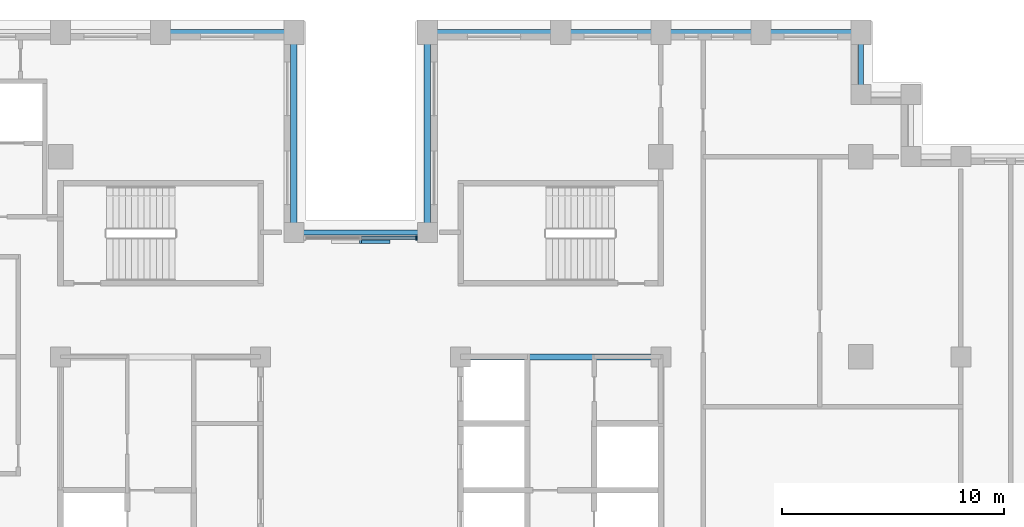
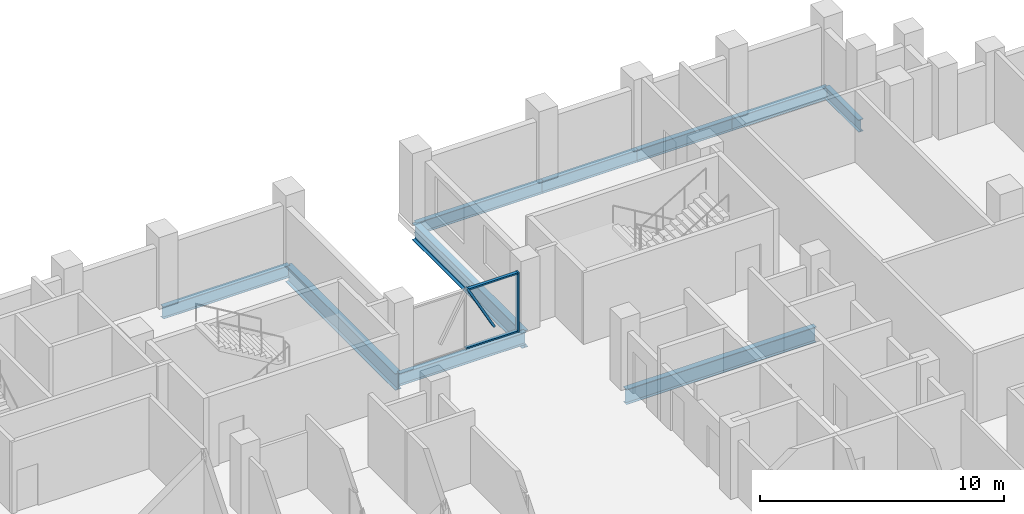
# One storey, part 4 of 16: 10 beams, 4 members, 1 element without a shape of its own.
"""IFC4 building model written with IfcOpenShell, lengths in metres."""

from ifc_helpers import new_model, si_unit, direction, frame, origin, origin_2d, place, context, subcontext, project, spatial, rectangle, i_section, extrude, material, layer, layer_set, material_profile, profile_set, type_object, element, aggregate, save


model = new_model("IFC4")

# Units and contexts
model_context = context("Model", 3, precision=1e-05, world=origin(), true_north=direction((0.0, 1.0)))
body_context = subcontext(model_context, "Body", "Model", "MODEL_VIEW")
ifc_project = project(units=[si_unit("LENGTHUNIT", "METRE"), si_unit("AREAUNIT", "SQUARE_METRE"), si_unit("VOLUMEUNIT", "CUBIC_METRE"), si_unit("PLANEANGLEUNIT", "RADIAN"), si_unit("MASSUNIT", "GRAM", prefix="KILO")], contexts=[model_context])

# Site, building, storey
site_placement = place(None, origin())
site = spatial("IfcSite", under=ifc_project, at=site_placement, CompositionType="ELEMENT")
building_placement = place(site_placement, origin())
building = spatial("IfcBuilding", under=site, at=building_placement, Name="Corbelhall Arena Tower", CompositionType="ELEMENT")
storey_placement = place(building_placement, frame((0.0, 0.0, 174.0)))
storey = spatial("IfcBuildingStorey", under=building, at=storey_placement, Name="L35", CompositionType="ELEMENT", Elevation=174.0)

# Curtain wall, members
ifc_material_1 = material(Name="Aluminium black anodised", Category="aluminium")
ifc_layer = layer(ifc_material_1, 0.199951171875)
ifc_layer_set = layer_set([ifc_layer], Name="EV-CW1 Slot back wall")
curtain_wall_type = type_object("IfcCurtainWallType", Name="EV-CW1 Slot back wall", PredefinedType="NOTDEFINED", material=ifc_layer_set)
curtain_wall_placement = place(storey_placement, origin())
curtain_wall = element("IfcCurtainWall", 1, at=curtain_wall_placement, inside=storey, type_object=curtain_wall_type, Name="Curtain wall CW1", PredefinedType="NOTDEFINED")
ifc_material_profile_1 = material_profile(ifc_material_1, rectangle(XDim=0.199951171875, YDim=0.074951171875, at=origin_2d()))
ifc_profile_set_1 = profile_set([ifc_material_profile_1], Name="Aluminium black anodised")
member_type_1 = type_object("IfcMemberType", Name="EV-CW1-MULLION", PredefinedType="MULLION", material=ifc_profile_set_1)
member_1_placement = place(storey_placement, frame((2.512451171875, 14.35009765625, 0.0), z_axis=(0.0, 0.0, 1.0), x_axis=(0.0, -1.0, 0.0)))
member_1 = element("IfcMember", 2, at=member_1_placement, type_object=member_type_1, Name="CW1 mullion 1", PredefinedType="MULLION", context=body_context, shape_type="SweptSolid", body=[
    extrude(rectangle(XDim=0.199951171875, YDim=0.074951171875, at=origin_2d()), origin(), (0.0, 0.0, 1.0), 2.989990234375),
])
ifc_material_profile_2 = material_profile(ifc_material_1, rectangle(XDim=0.14990234375, YDim=0.074951171875, at=origin_2d()))
ifc_profile_set_2 = profile_set([ifc_material_profile_2], Name="Aluminium black anodised")
member_type_2 = type_object("IfcMemberType", Name="EV-CW1-TRANSOM", PredefinedType="USERDEFINED", material=ifc_profile_set_2)
member_2_placement = place(storey_placement, frame((2.47509765625, 14.35009765625, 0.03759765625), z_axis=(-1.0, 0.0, 0.0), x_axis=(0.0, -1.0, 0.0)))
member_2 = element("IfcMember", 3, at=member_2_placement, type_object=member_type_2, Name="CW1 transom 1.1", ObjectType="transom", PredefinedType="USERDEFINED", context=body_context, shape_type="SweptSolid", body=[
    extrude(rectangle(XDim=0.14990234375, YDim=0.074951171875, at=origin_2d()), origin(), (0.0, 0.0, 1.0), 2.4375),
])
member_3_placement = place(storey_placement, frame((2.47509765625, 14.35009765625, 2.952392578125), z_axis=(-1.0, 0.0, 0.0), x_axis=(0.0, -1.0, 0.0)))
member_3 = element("IfcMember", 4, at=member_3_placement, type_object=member_type_2, Name="CW1 transom 1.2", ObjectType="transom", PredefinedType="USERDEFINED", context=body_context, shape_type="SweptSolid", body=[
    extrude(rectangle(XDim=0.14990234375, YDim=0.074951171875, at=origin_2d()), origin(), (0.0, 0.0, 1.0), 2.4375),
])
aggregate(curtain_wall, [member_1, member_2, member_3])

# Member
ifc_material_profile_3 = material_profile(ifc_material_1, rectangle(XDim=0.159912109375, YDim=0.10009765625, at=origin_2d()))
ifc_profile_set_3 = profile_set([ifc_material_profile_3], Name="Aluminium black anodised")
member_type_3 = type_object("IfcMemberType", Name="EV-TR1 Tracery bar", PredefinedType="USERDEFINED", material=ifc_profile_set_3)
member_4_placement = place(storey_placement, frame((1.27490234375, 14.169921875, 0.807373046875), z_axis=(-0.478030960994, 0.0, 0.878342985588), x_axis=(0.0, -1.0, 0.0)))
element("IfcMember", 5, at=member_4_placement, inside=storey, type_object=member_type_3, Name="Tracery bar", ObjectType="TRACERY", PredefinedType="USERDEFINED", context=body_context, shape_type="SweptSolid", body=[
    extrude(rectangle(XDim=0.159912109375, YDim=0.10009765625, at=origin_2d()), origin(), (0.0, 0.0, 1.0), 2.6669921875),
])

# Beams
ifc_material_2 = material(Name="Steel ASTM A992 Gr50", Category="steel")
ifc_material_profile_4 = material_profile(ifc_material_2, i_section(OverallWidth=0.2666015625, OverallDepth=0.761962890625, WebThickness=0.014404296875, FlangeThickness=0.021484375, at=origin_2d()))
ifc_profile_set_4 = profile_set([ifc_material_profile_4], Name="Steel ASTM A992 Gr50")
beam_type_1 = type_object("IfcBeamType", Name="ST-BEAM-W30x116", PredefinedType="BEAM", material=ifc_profile_set_4)
beam_1_placement = place(storey_placement, frame((4.5, 9.0, -0.680908203125), z_axis=(1.0, 0.0, 0.0), x_axis=(0.0, 1.0, 0.0)))
element("IfcBeam", 6, at=beam_1_placement, inside=storey, type_object=beam_type_1, Name="Beam CEE 12", PredefinedType="BEAM", context=body_context, shape_type="SweptSolid", body=[
    extrude(i_section(OverallWidth=0.2666015625, OverallDepth=0.761962890625, WebThickness=0.014404296875, FlangeThickness=0.021484375, at=origin_2d()), origin(), (0.0, 0.0, 1.0), 9.0),
])
ifc_material_profile_5 = material_profile(ifc_material_2, i_section(OverallWidth=0.22900390625, OverallDepth=0.612060546875, WebThickness=0.011962890625, FlangeThickness=0.01953125, at=origin_2d()))
ifc_profile_set_5 = profile_set([ifc_material_profile_5], Name="Steel ASTM A992 Gr50")
beam_type_2 = type_object("IfcBeamType", Name="ST-SPANDREL-W24x84", PredefinedType="SPANDREL", material=ifc_profile_set_5)
beam_2_placement = place(storey_placement, frame((3.0, 23.60009765625, -0.60595703125), z_axis=(1.0, 0.0, 0.0), x_axis=(0.0, 1.0, 0.0)))
element("IfcBeam", 7, at=beam_2_placement, inside=storey, type_object=beam_type_2, Name="Beam SP 17", PredefinedType="SPANDREL", context=body_context, shape_type="SweptSolid", body=[
    extrude(i_section(OverallWidth=0.22900390625, OverallDepth=0.612060546875, WebThickness=0.011962890625, FlangeThickness=0.01953125, at=origin_2d()), origin(), (0.0, 0.0, 1.0), 6.0),
])
for number, where, z_axis, x_axis, name in (
    (8, (9.0, 23.60009765625, -0.60595703125), (1.0, 0.0, 0.0), (0.0, 1.0, 0.0), "Beam SP 18"),
    (9, (13.5, 23.60009765625, -0.60595703125), (1.0, 0.0, 0.0), (0.0, 1.0, 0.0), "Beam SP 19"),
    (10, (18.0, 23.60009765625, -0.60595703125), (1.0, 0.0, 0.0), (0.0, 1.0, 0.0), "Beam SP 20"),
):
    element("IfcBeam", number, at=place(storey_placement, frame(where, z_axis=z_axis, x_axis=x_axis)), inside=storey, type_object=beam_type_2, Name=name, PredefinedType="SPANDREL", context=body_context, shape_type="SweptSolid", body=[
        extrude(i_section(OverallWidth=0.22900390625, OverallDepth=0.612060546875, WebThickness=0.011962890625, FlangeThickness=0.01953125, at=origin_2d()), origin(), (0.0, 0.0, 1.0), 4.5),
    ])
beam_3_placement = place(storey_placement, frame((22.5, 23.60009765625, -0.60595703125), z_axis=(0.0, -1.0, 0.0), x_axis=(1.0, 0.0, 0.0)))
element("IfcBeam", 11, at=beam_3_placement, inside=storey, type_object=beam_type_2, Name="Beam SP 21", PredefinedType="SPANDREL", context=body_context, shape_type="SweptSolid", body=[
    extrude(i_section(OverallWidth=0.22900390625, OverallDepth=0.612060546875, WebThickness=0.011962890625, FlangeThickness=0.01953125, at=origin_2d()), origin(), (0.0, 0.0, 1.0), 2.800048828125),
])
for number, where, z_axis, x_axis, name in (
    (12, (-9.0, 23.60009765625, -0.60595703125), (1.0, 0.0, 0.0), (0.0, 1.0, 0.0), "Beam SP 23"),
    (13, (-3.0, 14.60009765625, -0.60595703125), (1.0, 0.0, 0.0), (0.0, 1.0, 0.0), "Beam SP 40"),
):
    element("IfcBeam", number, at=place(storey_placement, frame(where, z_axis=z_axis, x_axis=x_axis)), inside=storey, type_object=beam_type_2, Name=name, PredefinedType="SPANDREL", context=body_context, shape_type="SweptSolid", body=[
        extrude(i_section(OverallWidth=0.22900390625, OverallDepth=0.612060546875, WebThickness=0.011962890625, FlangeThickness=0.01953125, at=origin_2d()), origin(), (0.0, 0.0, 1.0), 6.0),
    ])
ifc_material_profile_6 = material_profile(ifc_material_2, i_section(OverallWidth=0.2919921875, OverallDepth=0.845703125, WebThickness=0.015380859375, FlangeThickness=0.0244140625, at=origin_2d()))
ifc_profile_set_6 = profile_set([ifc_material_profile_6], Name="Steel ASTM A992 Gr50")
beam_type_3 = type_object("IfcBeamType", Name="ST-SPANDREL-W33x141", PredefinedType="SPANDREL", material=ifc_profile_set_6)
for number, where, z_axis, x_axis, name in (
    (14, (-3.0, 23.60009765625, -0.722900390625), (0.0, -1.0, 0.0), (1.0, 0.0, 0.0), "Beam SP 22"),
    (15, (3.0, 14.60009765625, -0.722900390625), (0.0, 1.0, 0.0), (-1.0, 0.0, 0.0), "Beam SP 39"),
):
    element("IfcBeam", number, at=place(storey_placement, frame(where, z_axis=z_axis, x_axis=x_axis)), inside=storey, type_object=beam_type_3, Name=name, PredefinedType="SPANDREL", context=body_context, shape_type="SweptSolid", body=[
        extrude(i_section(OverallWidth=0.2919921875, OverallDepth=0.845703125, WebThickness=0.015380859375, FlangeThickness=0.0244140625, at=origin_2d()), origin(), (0.0, 0.0, 1.0), 9.0),
    ])

save(model, "model.ifc")
